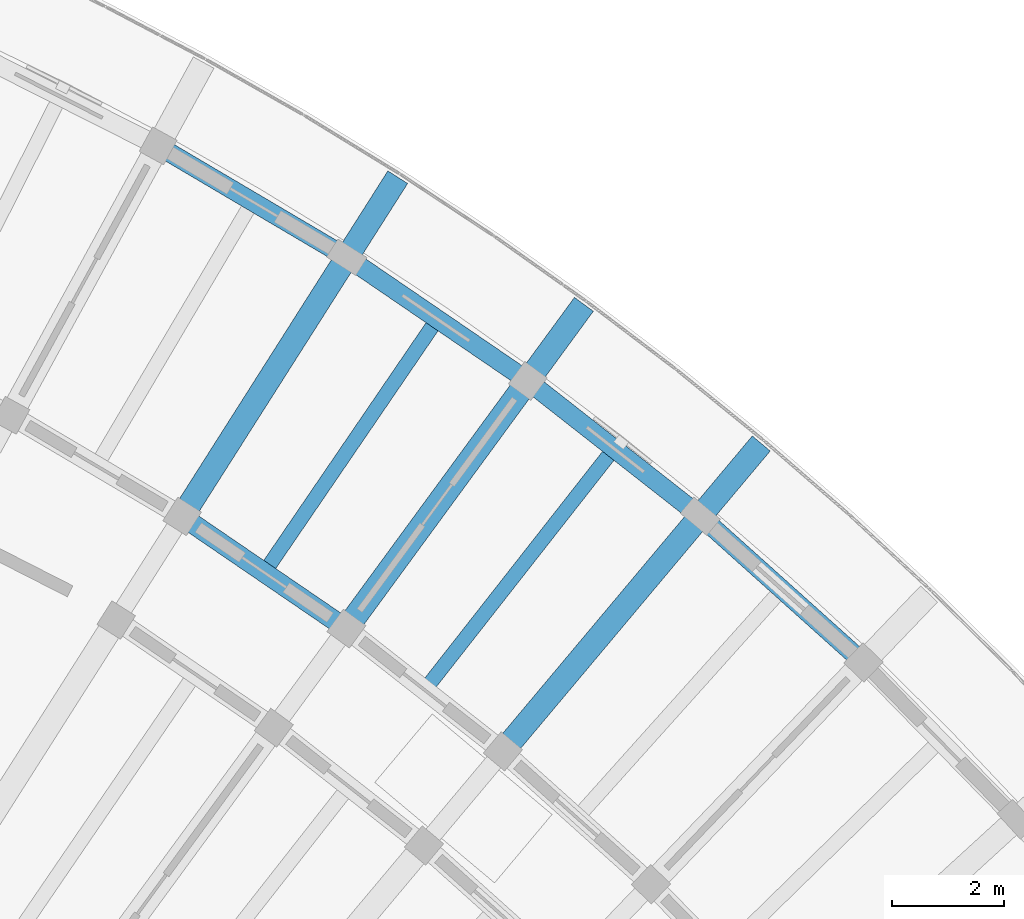
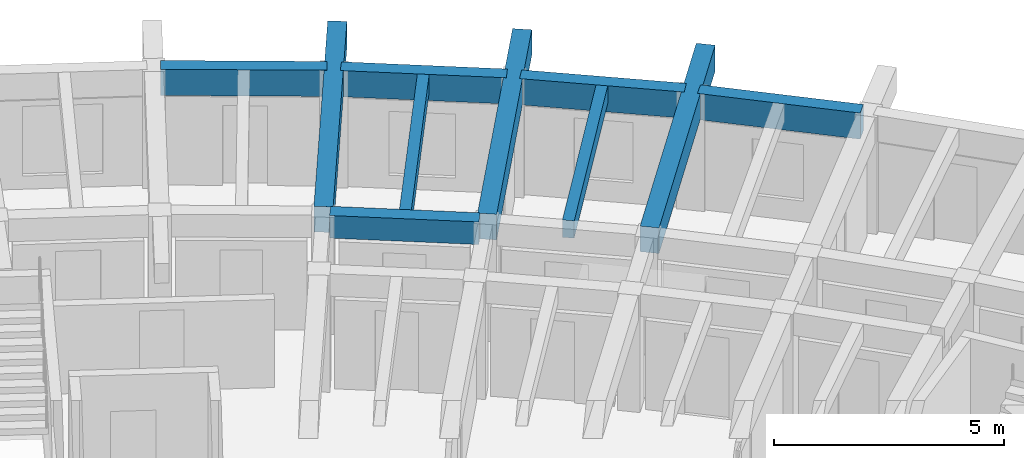
# One storey, part 31 of 83: 10 beams.
"""IFC4 building model written with IfcOpenShell, lengths in metres."""

from ifc_helpers import new_model, si_unit, direction, frame, origin, origin_2d, place, context, subcontext, project, spatial, rectangle, extrude, material, material_profile, profile_set, type_object, element, save


model = new_model("IFC4")

# Units and contexts
model_context = context("Model", 3, precision=1e-05, world=origin(), true_north=direction((0.0, 1.0)))
body_context = subcontext(model_context, "Body", "Model", "MODEL_VIEW")
ifc_project = project(units=[si_unit("LENGTHUNIT", "METRE"), si_unit("AREAUNIT", "SQUARE_METRE"), si_unit("VOLUMEUNIT", "CUBIC_METRE"), si_unit("PLANEANGLEUNIT", "RADIAN"), si_unit("MASSUNIT", "GRAM", prefix="KILO")], contexts=[model_context])

# Site, building, storey
site_placement = place(None, origin())
site = spatial("IfcSite", under=ifc_project, at=site_placement, CompositionType="ELEMENT")
building_placement = place(site_placement, origin())
building = spatial("IfcBuilding", under=site, at=building_placement, Name="Tanwirah Colonnade Gardens", CompositionType="ELEMENT")
storey_placement = place(building_placement, frame((0.0, 0.0, 25.639892578125)))
storey = spatial("IfcBuildingStorey", under=building, at=storey_placement, Name="L07", CompositionType="ELEMENT", Elevation=25.639892578125)

# Beams
ifc_material_1 = material(Name="Precast concrete C40/50", Category="concrete")
ifc_material_profile_1 = material_profile(ifc_material_1, rectangle(XDim=0.35009765625, YDim=0.60009765625, at=origin_2d()), Name="PC-BM 350x600")
ifc_profile_set_1 = profile_set([ifc_material_profile_1], Name="Precast concrete C40/50")
beam_type_1 = type_object("IfcBeamType", Name="BM-PC350B", PredefinedType="BEAM", material=ifc_profile_set_1)
beam_1_placement = place(storey_placement, frame((152.815185546875, 103.888427734375, 2.81005859375), z_axis=(-0.825782284145, 0.563989024, 0.0), x_axis=(-0.563989024, -0.825782284145, 0.0)))
element("IfcBeam", 1, at=beam_1_placement, inside=storey, type_object=beam_type_1, Name="Block B L07 Circumferential Beam 10-R2", PredefinedType="BEAM", context=body_context, shape_type="SweptSolid", body=[
    extrude(rectangle(XDim=0.35009765625, YDim=0.60009765625, at=origin_2d()), origin(), (0.0, 0.0, 1.0), 3.26318359375),
])
ifc_material_2 = material(Name="Precast concrete C45/55", Category="concrete")
ifc_material_profile_2 = material_profile(ifc_material_2, rectangle(XDim=0.419921875, YDim=0.679931640625, at=origin_2d()), Name="PC-BM 420x680")
ifc_profile_set_2 = profile_set([ifc_material_profile_2], Name="Precast concrete C45/55")
beam_type_2 = type_object("IfcBeamType", Name="BM-PC420", PredefinedType="BEAM", material=ifc_profile_set_2)
beam_2_placement = place(storey_placement, frame((155.839111328125, 101.7197265625, 2.77001953125), z_axis=(0.642810291951, 0.766025409867, 0.0), x_axis=(-0.766025409867, 0.642810291951, 0.0)))
element("IfcBeam", 2, at=beam_2_placement, inside=storey, type_object=beam_type_2, Name="Block B L07 Outer Radial Precast Girder 9", PredefinedType="BEAM", context=body_context, shape_type="SweptSolid", body=[
    extrude(rectangle(XDim=0.419921875, YDim=0.679931640625, at=origin_2d()), origin(), (0.0, 0.0, 1.0), 7.0498046875),
])
for number, where, z_axis, x_axis, name in (
    (3, (153.02783203125, 103.9248046875, 2.77001953125), (0.590919194225, 0.806730751798, 0.0), (-0.806730751798, 0.590919194225, 0.0), "Block B L07 Outer Radial Precast Girder 10"),
    (4, (150.077392578125, 105.93994140625, 2.77001953125), (0.536451921133, 0.843930883611, 0.0), (-0.843930883611, 0.536451921133, 0.0), "Block B L07 Outer Radial Precast Girder 11"),
):
    element("IfcBeam", number, at=place(storey_placement, frame(where, z_axis=z_axis, x_axis=x_axis)), inside=storey, type_object=beam_type_2, Name=name, PredefinedType="BEAM", context=body_context, shape_type="SweptSolid", body=[
        extrude(rectangle(XDim=0.419921875, YDim=0.679931640625, at=origin_2d()), origin(), (0.0, 0.0, 1.0), 7.050048828125),
    ])
ifc_material_profile_3 = material_profile(ifc_material_1, rectangle(XDim=0.260009765625, YDim=0.4599609375, at=origin_2d()), Name="PC-JST 260x460")
ifc_profile_set_3 = profile_set([ifc_material_profile_3], Name="Precast concrete C40/50")
beam_type_3 = type_object("IfcBeamType", Name="JST-PC260", PredefinedType="JOIST", material=ifc_profile_set_3)
for number, where, z_axis, x_axis, name in (
    (5, (154.43310546875, 102.82177734375, 2.880126953125), (0.617177687243, 0.786823806433, 0.0), (-0.786823806433, 0.617177687243, 0.0), "Block B L07 Precast Floor Joist 9"),
    (6, (151.55224609375, 104.931884765625, 2.880126953125), (0.563973225998, 0.825793073571, 0.0), (-0.825793073571, 0.563973225998, 0.0), "Block B L07 Precast Floor Joist 10"),
):
    element("IfcBeam", number, at=place(storey_placement, frame(where, z_axis=z_axis, x_axis=x_axis)), inside=storey, type_object=beam_type_3, Name=name, PredefinedType="JOIST", context=body_context, shape_type="SweptSolid", body=[
        extrude(rectangle(XDim=0.260009765625, YDim=0.4599609375, at=origin_2d()), origin(), (0.0, 0.0, 1.0), 5.260009765625),
    ])
ifc_material_profile_4 = material_profile(ifc_material_1, rectangle(XDim=0.3349609375, YDim=0.695068359375, at=origin_2d()), Name="PC-SP 335x695")
ifc_profile_set_4 = profile_set([ifc_material_profile_4], Name="Precast concrete C40/50")
beam_type_4 = type_object("IfcBeamType", Name="SP-PC300", PredefinedType="SPANDREL", material=ifc_profile_set_4)
beam_3_placement = place(storey_placement, frame((162.0888671875, 103.296875, 2.7626953125), z_axis=(-0.744444790955, 0.667684021989, 0.0), x_axis=(-0.667684021989, -0.744444790955, 0.0)))
element("IfcBeam", 7, at=beam_3_placement, inside=storey, type_object=beam_type_4, Name="Block B L07 Circumferential Beam 8-R3", PredefinedType="SPANDREL", context=body_context, shape_type="SweptSolid", body=[
    extrude(rectangle(XDim=0.3349609375, YDim=0.695068359375, at=origin_2d()), origin(), (0.0, 0.0, 1.0), 3.625732421875),
])
beam_4_placement = place(storey_placement, frame((159.159912109375, 105.91064453125, 2.7626953125), z_axis=(-0.786843799845, 0.617152197311, 0.0), x_axis=(-0.617152197311, -0.786843799845, 0.0)))
element("IfcBeam", 8, at=beam_4_placement, inside=storey, type_object=beam_type_4, Name="Block B L07 Circumferential Beam 9-R3", PredefinedType="SPANDREL", context=body_context, shape_type="SweptSolid", body=[
    extrude(rectangle(XDim=0.3349609375, YDim=0.695068359375, at=origin_2d()), origin(), (0.0, 0.0, 1.0), 3.62548828125),
])
for number, where, z_axis, x_axis, name in (
    (9, (156.0654296875, 108.325439453125, 2.7626953125), (-0.825782625102, 0.563988524776, 0.0), (-0.563988524776, -0.825782625102, 0.0), "Block B L07 Circumferential Beam 10-R3"),
    (10, (152.818359375, 110.53125, 2.7626953125), (-0.861136912545, 0.5083731089, 0.0), (-0.5083731089, -0.861136912545, 0.0), "Block B L07 Circumferential Beam 11-R3"),
):
    element("IfcBeam", number, at=place(storey_placement, frame(where, z_axis=z_axis, x_axis=x_axis)), inside=storey, type_object=beam_type_4, Name=name, PredefinedType="SPANDREL", context=body_context, shape_type="SweptSolid", body=[
        extrude(rectangle(XDim=0.3349609375, YDim=0.695068359375, at=origin_2d()), origin(), (0.0, 0.0, 1.0), 3.625732421875),
    ])

save(model, "model.ifc")
